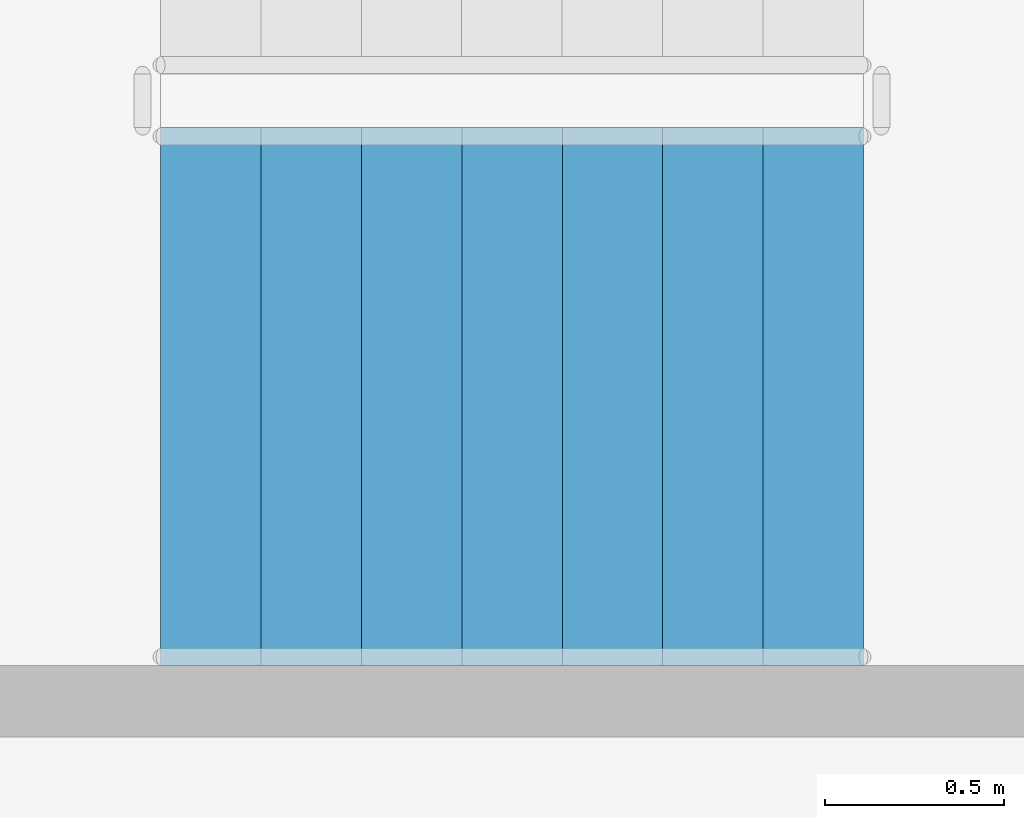
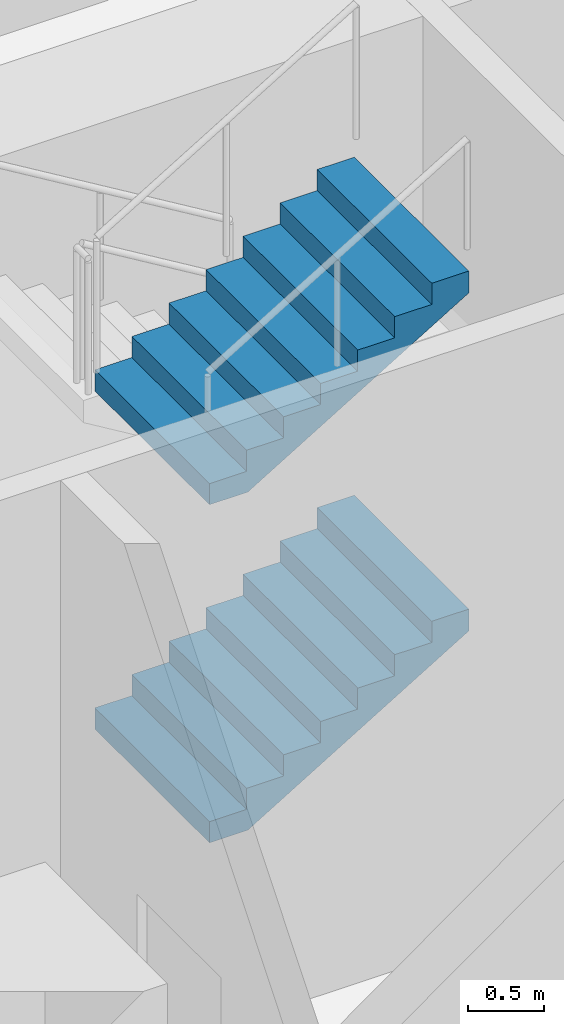
# One storey, part 45 of 101: 2 stair flights, 1 element without a shape of its own.
"""IFC4 building model written with IfcOpenShell, lengths in metres."""

from ifc_helpers import new_model, si_unit, direction, frame, origin, place, context, subcontext, project, spatial, triangles, material, type_object, element, aggregate, save


model = new_model("IFC4")

# Units and contexts
model_context = context("Model", 3, precision=1e-05, world=origin(), true_north=direction((0.0, 1.0)))
body_context = subcontext(model_context, "Body", "Model", "MODEL_VIEW")
ifc_project = project(units=[si_unit("LENGTHUNIT", "METRE"), si_unit("AREAUNIT", "SQUARE_METRE"), si_unit("VOLUMEUNIT", "CUBIC_METRE"), si_unit("PLANEANGLEUNIT", "RADIAN"), si_unit("MASSUNIT", "GRAM", prefix="KILO")], contexts=[model_context])

# Site, building, storey
site_placement = place(None, origin())
site = spatial("IfcSite", under=ifc_project, at=site_placement, CompositionType="ELEMENT")
building_placement = place(site_placement, origin())
building = spatial("IfcBuilding", under=site, at=building_placement, Name="Magnolia Steps Interchange", CompositionType="ELEMENT")
storey_placement = place(building_placement, frame((0.0, 0.0, -5.39990234375)))
storey = spatial("IfcBuildingStorey", under=building, at=storey_placement, Name="B1", CompositionType="ELEMENT", Elevation=-5.39990234375)

# Stair, stair flights
ifc_material_1 = material(Name="Concrete C40", Category="concrete")
stair_type = type_object("IfcStairType", Name="Exit stair 1500", PredefinedType="HALF_TURN_STAIR", material=ifc_material_1)
stair_placement = place(storey_placement, origin())
stair = element("IfcStair", 1, at=stair_placement, inside=storey, type_object=stair_type, Name="B1 Stair 6", PredefinedType="HALF_TURN_STAIR")
ifc_material_2 = material(Name="Concrete C40", Category="concrete")
stair_flight_type = type_object("IfcStairFlightType", Name="Exit stair flight", PredefinedType="STRAIGHT", material=ifc_material_2)
stair_flight_1_placement = place(storey_placement, frame((57.0400390625, 50.300048828125, 1.349853515625), z_axis=(0.0, 0.0, 1.0), x_axis=(1.0, 0.0, 0.0)))
stair_flight_1 = element("IfcStairFlight", 2, at=stair_flight_1_placement, type_object=stair_flight_type, Name="Stair 6 flight 2", NumberOfRisers=8, NumberOfTreads=7, PredefinedType="STRAIGHT", RiserHeight=0.16875, TreadLength=0.28, context=body_context, shape_type="Tessellation", body=[
    triangles([(0.0, -0.75, 0.0), (0.29052734375, -0.75, 0.0), (1.9599609375, -0.75, 1.00634765625), (1.9599609375, -0.75, 1.18115234375), (1.679931640625, -0.75, 1.18115234375), (1.679931640625, -0.75, 1.012451171875), (1.39990234375, -0.75, 1.012451171875), (1.39990234375, -0.75, 0.84375), (1.1201171875, -0.75, 0.84375), (1.1201171875, -0.75, 0.675048828125), (0.840087890625, -0.75, 0.675048828125), (0.840087890625, -0.75, 0.50634765625), (0.56005859375, -0.75, 0.50634765625), (0.56005859375, -0.75, 0.33740234375), (0.280029296875, -0.75, 0.33740234375), (0.280029296875, -0.75, 0.168701171875), (0.0, -0.75, 0.168701171875), (0.0, 0.75, 0.0), (0.29052734375, 0.75, 0.0), (1.9599609375, 0.75, 1.00634765625), (1.9599609375, 0.75, 1.18115234375), (1.679931640625, 0.75, 1.18115234375), (1.679931640625, 0.75, 1.012451171875), (1.39990234375, 0.75, 1.012451171875), (1.39990234375, 0.75, 0.84375), (1.1201171875, 0.75, 0.84375), (1.1201171875, 0.75, 0.675048828125), (0.840087890625, 0.75, 0.675048828125), (0.840087890625, 0.75, 0.50634765625), (0.56005859375, 0.75, 0.50634765625), (0.56005859375, 0.75, 0.33740234375), (0.280029296875, 0.75, 0.33740234375), (0.280029296875, 0.75, 0.168701171875), (0.0, 0.75, 0.168701171875), (0.0, 0.0, 0.0), (0.0, 0.0, 0.04217529296875), (0.0, 0.0, 0.0843505859375), (0.0, 0.0, 0.12652587890625), (0.0, 0.0, 0.168701171875), (0.0, -0.05, 0.0), (0.0, -0.05, 0.168701171875), (0.0, 0.05, 0.0), (0.0, 0.05, 0.168701171875), (0.046671549479166664, 0.0, 0.168701171875), (0.09334309895833333, 0.0, 0.168701171875), (0.1400146484375, 0.0, 0.168701171875), (0.18668619791666666, 0.0, 0.168701171875), (0.23335774739583334, 0.0, 0.168701171875), (0.280029296875, 0.0, 0.168701171875), (0.280029296875, -0.05, 0.168701171875), (0.280029296875, 0.05, 0.168701171875), (0.280029296875, 0.0, 0.21087646484375), (0.280029296875, 0.0, 0.2530517578125), (0.280029296875, 0.0, 0.29522705078125), (0.280029296875, 0.0, 0.33740234375), (0.280029296875, -0.05, 0.33740234375), (0.280029296875, 0.05, 0.33740234375), (0.3267008463541667, 0.0, 0.33740234375), (0.3733723958333333, 0.0, 0.33740234375), (0.4200439453125, 0.0, 0.33740234375), (0.46671549479166663, 0.0, 0.33740234375), (0.5133870442708334, 0.0, 0.33740234375), (0.56005859375, 0.0, 0.33740234375), (0.56005859375, -0.05, 0.33740234375), (0.56005859375, 0.05, 0.33740234375), (0.56005859375, 0.0, 0.379638671875), (0.56005859375, 0.0, 0.421875), (0.56005859375, 0.0, 0.464111328125), (0.56005859375, 0.0, 0.50634765625), (0.56005859375, -0.05, 0.50634765625), (0.56005859375, 0.05, 0.50634765625), (0.6067301432291666, 0.0, 0.50634765625), (0.6534016927083334, 0.0, 0.50634765625), (0.7000732421875, 0.0, 0.50634765625), (0.7467447916666666, 0.0, 0.50634765625), (0.7934163411458334, 0.0, 0.50634765625), (0.840087890625, 0.0, 0.50634765625), (0.840087890625, -0.05, 0.50634765625), (0.840087890625, 0.05, 0.50634765625), (0.840087890625, 0.0, 0.54852294921875), (0.840087890625, 0.0, 0.5906982421875), (0.840087890625, 0.0, 0.63287353515625), (0.840087890625, 0.0, 0.675048828125), (0.840087890625, -0.05, 0.675048828125), (0.840087890625, 0.05, 0.675048828125), (0.8867594401041666, 0.0, 0.675048828125), (0.9334309895833334, 0.0, 0.675048828125), (0.9801025390625, 0.0, 0.675048828125), (1.0267740885416667, 0.0, 0.675048828125), (1.0734456380208333, 0.0, 0.675048828125), (1.1201171875, 0.0, 0.675048828125), (1.1201171875, -0.05, 0.675048828125), (1.1201171875, 0.05, 0.675048828125), (1.1201171875, 0.0, 0.71722412109375), (1.1201171875, 0.0, 0.7593994140625), (1.1201171875, 0.0, 0.80157470703125), (1.1201171875, 0.0, 0.84375), (1.1201171875, -0.05, 0.84375), (1.1201171875, 0.05, 0.84375), (1.1900634765625, 0.0, 0.84375), (1.260009765625, 0.0, 0.84375), (1.3299560546875, 0.0, 0.84375), (1.39990234375, 0.0, 0.84375), (1.39990234375, -0.05, 0.84375), (1.39990234375, 0.05, 0.84375), (1.39990234375, 0.0, 0.88592529296875), (1.39990234375, 0.0, 0.9281005859375), (1.39990234375, 0.0, 0.97027587890625), (1.39990234375, 0.0, 1.012451171875), (1.39990234375, -0.05, 1.012451171875), (1.39990234375, 0.05, 1.012451171875), (1.4465738932291667, 0.0, 1.012451171875), (1.4932454427083333, 0.0, 1.012451171875), (1.5399169921875, 0.0, 1.012451171875), (1.5865885416666667, 0.0, 1.012451171875), (1.6332600911458333, 0.0, 1.012451171875), (1.679931640625, 0.0, 1.012451171875), (1.679931640625, -0.05, 1.012451171875), (1.679931640625, 0.05, 1.012451171875), (1.679931640625, 0.0, 1.05462646484375), (1.679931640625, 0.0, 1.0968017578125), (1.679931640625, 0.0, 1.13897705078125), (1.679931640625, 0.0, 1.18115234375), (1.679931640625, -0.05, 1.18115234375), (1.679931640625, 0.05, 1.18115234375), (1.7266031901041667, 0.0, 1.18115234375), (1.7732747395833333, 0.0, 1.18115234375), (1.8199462890625, 0.0, 1.18115234375), (1.8666178385416667, 0.0, 1.18115234375), (1.9132893880208333, 0.0, 1.18115234375), (1.9599609375, 0.0, 1.18115234375), (1.9599609375, -0.05, 1.18115234375), (1.9599609375, 0.05, 1.18115234375), (1.9599609375, 0.0, 1.137451171875), (1.9599609375, 0.0, 1.09375), (1.9599609375, 0.0, 1.050048828125), (1.9599609375, 0.0, 1.00634765625), (1.9599609375, -0.05, 1.00634765625), (1.9599609375, 0.05, 1.00634765625), (1.9003383091517858, 0.0, 0.9704066685267857), (1.8407156808035714, 0.0, 0.9344656808035714), (1.7810930524553572, 0.0, 0.8985246930803571), (1.7214704241071428, 0.0, 0.8625837053571428), (1.6618477957589286, 0.0, 0.8266427176339286), (1.6022251674107144, 0.0, 0.7907017299107143), (1.5426025390625, 0.0, 0.7547607421875), (1.4829799107142856, 0.0, 0.7188197544642857), (1.4233572823660714, 0.0, 0.6828787667410714), (1.3637346540178572, 0.0, 0.6469377790178572), (1.3041120256696428, 0.0, 0.6109967912946428), (1.2444893973214286, 0.0, 0.5750558035714286), (1.1848667689732144, 0.0, 0.5391148158482143), (1.125244140625, 0.0, 0.503173828125), (1.0656215122767856, 0.0, 0.4672328404017857), (1.0059988839285714, 0.0, 0.4312918526785714), (0.9463762555803572, 0.0, 0.3953508649553571), (0.8867536272321428, 0.0, 0.3594098772321429), (0.8271309988839286, 0.0, 0.3234688895089286), (0.7675083705357142, 0.0, 0.2875279017857143), (0.7078857421875, 0.0, 0.2515869140625), (0.6482631138392858, 0.0, 0.2156459263392857), (0.5886404854910714, 0.0, 0.1797049386160714), (0.5290178571428572, 0.0, 0.1437639508928571), (0.4693952287946428, 0.0, 0.1078229631696429), (0.4097726004464286, 0.0, 0.0718819754464286), (0.3501499720982142, 0.0, 0.0359409877232143), (0.29052734375, 0.0, 0.0), (0.29052734375, -0.05, 0.0), (0.29052734375, 0.05, 0.0), (0.24210611979166666, 0.0, 0.0), (0.19368489583333331, 0.0, 0.0), (0.145263671875, 0.0, 0.0), (0.09684244791666666, 0.0, 0.0), (0.04842122395833334, 0.0, 0.0)], [[1, 2, 3], [3, 4, 5], [3, 5, 6], [3, 6, 7], [3, 7, 8], [8, 9, 10], [3, 8, 10], [10, 11, 12], [3, 10, 12], [12, 13, 14], [3, 12, 14], [14, 15, 16], [3, 14, 16], [1, 3, 16], [16, 17, 1], [18, 20, 19], [20, 22, 21], [20, 23, 22], [20, 24, 23], [20, 25, 24], [25, 27, 26], [20, 27, 25], [27, 29, 28], [20, 29, 27], [29, 31, 30], [20, 31, 29], [31, 33, 32], [20, 33, 31], [18, 33, 20], [33, 18, 34], [1, 17, 41], [1, 41, 40], [40, 36, 35], [40, 37, 36], [40, 41, 37], [41, 38, 37], [41, 39, 38], [18, 43, 34], [18, 42, 43], [42, 35, 36], [42, 36, 37], [42, 37, 43], [43, 37, 38], [43, 38, 39], [17, 16, 50], [17, 50, 41], [41, 44, 39], [41, 45, 44], [41, 46, 45], [41, 50, 46], [50, 47, 46], [50, 48, 47], [50, 49, 48], [34, 51, 33], [34, 43, 51], [43, 39, 44], [43, 44, 45], [43, 45, 46], [43, 46, 51], [51, 46, 47], [51, 47, 48], [51, 48, 49], [16, 15, 56], [16, 56, 50], [50, 52, 49], [50, 53, 52], [50, 56, 53], [56, 54, 53], [56, 55, 54], [33, 57, 32], [33, 51, 57], [51, 49, 52], [51, 52, 53], [51, 53, 57], [57, 53, 54], [57, 54, 55], [15, 14, 64], [15, 64, 56], [56, 58, 55], [56, 59, 58], [56, 60, 59], [56, 64, 60], [64, 61, 60], [64, 62, 61], [64, 63, 62], [32, 65, 31], [32, 57, 65], [57, 55, 58], [57, 58, 59], [57, 59, 60], [57, 60, 65], [65, 60, 61], [65, 61, 62], [65, 62, 63], [14, 13, 70], [14, 70, 64], [64, 66, 63], [64, 67, 66], [64, 70, 67], [70, 68, 67], [70, 69, 68], [31, 71, 30], [31, 65, 71], [65, 63, 66], [65, 66, 67], [65, 67, 71], [71, 67, 68], [71, 68, 69], [13, 12, 78], [13, 78, 70], [70, 72, 69], [70, 73, 72], [70, 74, 73], [70, 78, 74], [78, 75, 74], [78, 76, 75], [78, 77, 76], [30, 79, 29], [30, 71, 79], [71, 69, 72], [71, 72, 73], [71, 73, 74], [71, 74, 79], [79, 74, 75], [79, 75, 76], [79, 76, 77], [12, 11, 84], [12, 84, 78], [78, 80, 77], [78, 81, 80], [78, 84, 81], [84, 82, 81], [84, 83, 82], [29, 85, 28], [29, 79, 85], [79, 77, 80], [79, 80, 81], [79, 81, 85], [85, 81, 82], [85, 82, 83], [11, 10, 92], [11, 92, 84], [84, 86, 83], [84, 87, 86], [84, 88, 87], [84, 92, 88], [92, 89, 88], [92, 90, 89], [92, 91, 90], [28, 93, 27], [28, 85, 93], [85, 83, 86], [85, 86, 87], [85, 87, 88], [85, 88, 93], [93, 88, 89], [93, 89, 90], [93, 90, 91], [10, 9, 98], [10, 98, 92], [92, 94, 91], [92, 95, 94], [92, 98, 95], [98, 96, 95], [98, 97, 96], [27, 99, 26], [27, 93, 99], [93, 91, 94], [93, 94, 95], [93, 95, 99], [99, 95, 96], [99, 96, 97], [9, 8, 104], [9, 104, 98], [98, 100, 97], [98, 101, 100], [98, 104, 101], [104, 102, 101], [104, 103, 102], [26, 105, 25], [26, 99, 105], [99, 97, 100], [99, 100, 101], [99, 101, 105], [105, 101, 102], [105, 102, 103], [8, 7, 110], [8, 110, 104], [104, 106, 103], [104, 107, 106], [104, 110, 107], [110, 108, 107], [110, 109, 108], [25, 111, 24], [25, 105, 111], [105, 103, 106], [105, 106, 107], [105, 107, 111], [111, 107, 108], [111, 108, 109], [7, 6, 118], [7, 118, 110], [110, 112, 109], [110, 113, 112], [110, 114, 113], [110, 118, 114], [118, 115, 114], [118, 116, 115], [118, 117, 116], [24, 119, 23], [24, 111, 119], [111, 109, 112], [111, 112, 113], [111, 113, 114], [111, 114, 119], [119, 114, 115], [119, 115, 116], [119, 116, 117], [6, 5, 124], [6, 124, 118], [118, 120, 117], [118, 121, 120], [118, 124, 121], [124, 122, 121], [124, 123, 122], [23, 125, 22], [23, 119, 125], [119, 117, 120], [119, 120, 121], [119, 121, 125], [125, 121, 122], [125, 122, 123], [5, 4, 132], [5, 132, 124], [124, 126, 123], [124, 127, 126], [124, 128, 127], [124, 132, 128], [132, 129, 128], [132, 130, 129], [132, 131, 130], [22, 133, 21], [22, 125, 133], [125, 123, 126], [125, 126, 127], [125, 127, 128], [125, 128, 133], [133, 128, 129], [133, 129, 130], [133, 130, 131], [4, 3, 138], [4, 138, 132], [132, 134, 131], [132, 135, 134], [132, 138, 135], [138, 136, 135], [138, 137, 136], [21, 139, 20], [21, 133, 139], [133, 131, 134], [133, 134, 135], [133, 135, 139], [139, 135, 136], [139, 136, 137], [3, 2, 168], [3, 168, 138], [138, 140, 137], [138, 141, 140], [138, 142, 141], [138, 143, 142], [138, 144, 143], [138, 145, 144], [138, 146, 145], [138, 147, 146], [138, 148, 147], [138, 149, 148], [138, 150, 149], [138, 151, 150], [138, 152, 151], [138, 153, 152], [138, 168, 153], [168, 154, 153], [168, 155, 154], [168, 156, 155], [168, 157, 156], [168, 158, 157], [168, 159, 158], [168, 160, 159], [168, 161, 160], [168, 162, 161], [168, 163, 162], [168, 164, 163], [168, 165, 164], [168, 166, 165], [168, 167, 166], [20, 169, 19], [20, 139, 169], [139, 137, 140], [139, 140, 141], [139, 141, 142], [139, 142, 143], [139, 143, 144], [139, 144, 145], [139, 145, 146], [139, 146, 147], [139, 147, 148], [139, 148, 149], [139, 149, 150], [139, 150, 151], [139, 151, 152], [139, 152, 153], [139, 153, 169], [169, 153, 154], [169, 154, 155], [169, 155, 156], [169, 156, 157], [169, 157, 158], [169, 158, 159], [169, 159, 160], [169, 160, 161], [169, 161, 162], [169, 162, 163], [169, 163, 164], [169, 164, 165], [169, 165, 166], [169, 166, 167], [2, 1, 40], [2, 40, 168], [168, 170, 167], [168, 171, 170], [168, 172, 171], [168, 40, 172], [40, 173, 172], [40, 174, 173], [40, 35, 174], [19, 42, 18], [19, 169, 42], [169, 167, 170], [169, 170, 171], [169, 171, 172], [169, 172, 42], [42, 172, 173], [42, 173, 174], [42, 174, 35]], closed=True),
])
stair_flight_2_placement = place(storey_placement, frame((57.0400390625, 50.300048828125, 4.0498046875), z_axis=(0.0, 0.0, 1.0), x_axis=(1.0, 0.0, 0.0)))
stair_flight_2 = element("IfcStairFlight", 3, at=stair_flight_2_placement, type_object=stair_flight_type, Name="Stair 6 flight 4", NumberOfRisers=8, NumberOfTreads=7, PredefinedType="STRAIGHT", RiserHeight=0.16875, TreadLength=0.28, context=body_context, shape_type="Tessellation", body=[
    triangles([(0.0, -0.75, 0.0), (0.29052734375, -0.75, 0.0), (1.9599609375, -0.75, 1.00634765625), (1.9599609375, -0.75, 1.18115234375), (1.679931640625, -0.75, 1.18115234375), (1.679931640625, -0.75, 1.012451171875), (1.39990234375, -0.75, 1.012451171875), (1.39990234375, -0.75, 0.84375), (1.1201171875, -0.75, 0.84375), (1.1201171875, -0.75, 0.675048828125), (0.840087890625, -0.75, 0.675048828125), (0.840087890625, -0.75, 0.50634765625), (0.56005859375, -0.75, 0.50634765625), (0.56005859375, -0.75, 0.33740234375), (0.280029296875, -0.75, 0.33740234375), (0.280029296875, -0.75, 0.168701171875), (0.0, -0.75, 0.168701171875), (0.0, 0.75, 0.0), (0.29052734375, 0.75, 0.0), (1.9599609375, 0.75, 1.00634765625), (1.9599609375, 0.75, 1.18115234375), (1.679931640625, 0.75, 1.18115234375), (1.679931640625, 0.75, 1.012451171875), (1.39990234375, 0.75, 1.012451171875), (1.39990234375, 0.75, 0.84375), (1.1201171875, 0.75, 0.84375), (1.1201171875, 0.75, 0.675048828125), (0.840087890625, 0.75, 0.675048828125), (0.840087890625, 0.75, 0.50634765625), (0.56005859375, 0.75, 0.50634765625), (0.56005859375, 0.75, 0.33740234375), (0.280029296875, 0.75, 0.33740234375), (0.280029296875, 0.75, 0.168701171875), (0.0, 0.75, 0.168701171875), (0.0, 0.0, 0.0), (0.0, 0.0, 0.04217529296875), (0.0, 0.0, 0.0843505859375), (0.0, 0.0, 0.12652587890625), (0.0, 0.0, 0.168701171875), (0.0, -0.05, 0.0), (0.0, -0.05, 0.168701171875), (0.0, 0.05, 0.0), (0.0, 0.05, 0.168701171875), (0.046671549479166664, 0.0, 0.168701171875), (0.09334309895833333, 0.0, 0.168701171875), (0.1400146484375, 0.0, 0.168701171875), (0.18668619791666666, 0.0, 0.168701171875), (0.23335774739583334, 0.0, 0.168701171875), (0.280029296875, 0.0, 0.168701171875), (0.280029296875, -0.05, 0.168701171875), (0.280029296875, 0.05, 0.168701171875), (0.280029296875, 0.0, 0.21087646484375), (0.280029296875, 0.0, 0.2530517578125), (0.280029296875, 0.0, 0.29522705078125), (0.280029296875, 0.0, 0.33740234375), (0.280029296875, -0.05, 0.33740234375), (0.280029296875, 0.05, 0.33740234375), (0.3267008463541667, 0.0, 0.33740234375), (0.3733723958333333, 0.0, 0.33740234375), (0.4200439453125, 0.0, 0.33740234375), (0.46671549479166663, 0.0, 0.33740234375), (0.5133870442708334, 0.0, 0.33740234375), (0.56005859375, 0.0, 0.33740234375), (0.56005859375, -0.05, 0.33740234375), (0.56005859375, 0.05, 0.33740234375), (0.56005859375, 0.0, 0.379638671875), (0.56005859375, 0.0, 0.421875), (0.56005859375, 0.0, 0.464111328125), (0.56005859375, 0.0, 0.50634765625), (0.56005859375, -0.05, 0.50634765625), (0.56005859375, 0.05, 0.50634765625), (0.6067301432291666, 0.0, 0.50634765625), (0.6534016927083334, 0.0, 0.50634765625), (0.7000732421875, 0.0, 0.50634765625), (0.7467447916666666, 0.0, 0.50634765625), (0.7934163411458334, 0.0, 0.50634765625), (0.840087890625, 0.0, 0.50634765625), (0.840087890625, -0.05, 0.50634765625), (0.840087890625, 0.05, 0.50634765625), (0.840087890625, 0.0, 0.54852294921875), (0.840087890625, 0.0, 0.5906982421875), (0.840087890625, 0.0, 0.63287353515625), (0.840087890625, 0.0, 0.675048828125), (0.840087890625, -0.05, 0.675048828125), (0.840087890625, 0.05, 0.675048828125), (0.8867594401041666, 0.0, 0.675048828125), (0.9334309895833334, 0.0, 0.675048828125), (0.9801025390625, 0.0, 0.675048828125), (1.0267740885416667, 0.0, 0.675048828125), (1.0734456380208333, 0.0, 0.675048828125), (1.1201171875, 0.0, 0.675048828125), (1.1201171875, -0.05, 0.675048828125), (1.1201171875, 0.05, 0.675048828125), (1.1201171875, 0.0, 0.71722412109375), (1.1201171875, 0.0, 0.7593994140625), (1.1201171875, 0.0, 0.80157470703125), (1.1201171875, 0.0, 0.84375), (1.1201171875, -0.05, 0.84375), (1.1201171875, 0.05, 0.84375), (1.1900634765625, 0.0, 0.84375), (1.260009765625, 0.0, 0.84375), (1.3299560546875, 0.0, 0.84375), (1.39990234375, 0.0, 0.84375), (1.39990234375, -0.05, 0.84375), (1.39990234375, 0.05, 0.84375), (1.39990234375, 0.0, 0.88592529296875), (1.39990234375, 0.0, 0.9281005859375), (1.39990234375, 0.0, 0.97027587890625), (1.39990234375, 0.0, 1.012451171875), (1.39990234375, -0.05, 1.012451171875), (1.39990234375, 0.05, 1.012451171875), (1.4465738932291667, 0.0, 1.012451171875), (1.4932454427083333, 0.0, 1.012451171875), (1.5399169921875, 0.0, 1.012451171875), (1.5865885416666667, 0.0, 1.012451171875), (1.6332600911458333, 0.0, 1.012451171875), (1.679931640625, 0.0, 1.012451171875), (1.679931640625, -0.05, 1.012451171875), (1.679931640625, 0.05, 1.012451171875), (1.679931640625, 0.0, 1.05462646484375), (1.679931640625, 0.0, 1.0968017578125), (1.679931640625, 0.0, 1.13897705078125), (1.679931640625, 0.0, 1.18115234375), (1.679931640625, -0.05, 1.18115234375), (1.679931640625, 0.05, 1.18115234375), (1.7266031901041667, 0.0, 1.18115234375), (1.7732747395833333, 0.0, 1.18115234375), (1.8199462890625, 0.0, 1.18115234375), (1.8666178385416667, 0.0, 1.18115234375), (1.9132893880208333, 0.0, 1.18115234375), (1.9599609375, 0.0, 1.18115234375), (1.9599609375, -0.05, 1.18115234375), (1.9599609375, 0.05, 1.18115234375), (1.9599609375, 0.0, 1.137451171875), (1.9599609375, 0.0, 1.09375), (1.9599609375, 0.0, 1.050048828125), (1.9599609375, 0.0, 1.00634765625), (1.9599609375, -0.05, 1.00634765625), (1.9599609375, 0.05, 1.00634765625), (1.9003383091517858, 0.0, 0.9704066685267857), (1.8407156808035714, 0.0, 0.9344656808035714), (1.7810930524553572, 0.0, 0.8985246930803571), (1.7214704241071428, 0.0, 0.8625837053571428), (1.6618477957589286, 0.0, 0.8266427176339286), (1.6022251674107144, 0.0, 0.7907017299107143), (1.5426025390625, 0.0, 0.7547607421875), (1.4829799107142856, 0.0, 0.7188197544642857), (1.4233572823660714, 0.0, 0.6828787667410714), (1.3637346540178572, 0.0, 0.6469377790178572), (1.3041120256696428, 0.0, 0.6109967912946428), (1.2444893973214286, 0.0, 0.5750558035714286), (1.1848667689732144, 0.0, 0.5391148158482143), (1.125244140625, 0.0, 0.503173828125), (1.0656215122767856, 0.0, 0.4672328404017857), (1.0059988839285714, 0.0, 0.4312918526785714), (0.9463762555803572, 0.0, 0.3953508649553571), (0.8867536272321428, 0.0, 0.3594098772321429), (0.8271309988839286, 0.0, 0.3234688895089286), (0.7675083705357142, 0.0, 0.2875279017857143), (0.7078857421875, 0.0, 0.2515869140625), (0.6482631138392858, 0.0, 0.2156459263392857), (0.5886404854910714, 0.0, 0.1797049386160714), (0.5290178571428572, 0.0, 0.1437639508928571), (0.4693952287946428, 0.0, 0.1078229631696429), (0.4097726004464286, 0.0, 0.0718819754464286), (0.3501499720982142, 0.0, 0.0359409877232143), (0.29052734375, 0.0, 0.0), (0.29052734375, -0.05, 0.0), (0.29052734375, 0.05, 0.0), (0.24210611979166666, 0.0, 0.0), (0.19368489583333331, 0.0, 0.0), (0.145263671875, 0.0, 0.0), (0.09684244791666666, 0.0, 0.0), (0.04842122395833334, 0.0, 0.0)], [[1, 2, 3], [3, 4, 5], [3, 5, 6], [3, 6, 7], [3, 7, 8], [8, 9, 10], [3, 8, 10], [10, 11, 12], [3, 10, 12], [12, 13, 14], [3, 12, 14], [14, 15, 16], [3, 14, 16], [1, 3, 16], [16, 17, 1], [18, 20, 19], [20, 22, 21], [20, 23, 22], [20, 24, 23], [20, 25, 24], [25, 27, 26], [20, 27, 25], [27, 29, 28], [20, 29, 27], [29, 31, 30], [20, 31, 29], [31, 33, 32], [20, 33, 31], [18, 33, 20], [33, 18, 34], [1, 17, 41], [1, 41, 40], [40, 36, 35], [40, 37, 36], [40, 41, 37], [41, 38, 37], [41, 39, 38], [18, 43, 34], [18, 42, 43], [42, 35, 36], [42, 36, 37], [42, 37, 43], [43, 37, 38], [43, 38, 39], [17, 16, 50], [17, 50, 41], [41, 44, 39], [41, 45, 44], [41, 46, 45], [41, 50, 46], [50, 47, 46], [50, 48, 47], [50, 49, 48], [34, 51, 33], [34, 43, 51], [43, 39, 44], [43, 44, 45], [43, 45, 46], [43, 46, 51], [51, 46, 47], [51, 47, 48], [51, 48, 49], [16, 15, 56], [16, 56, 50], [50, 52, 49], [50, 53, 52], [50, 56, 53], [56, 54, 53], [56, 55, 54], [33, 57, 32], [33, 51, 57], [51, 49, 52], [51, 52, 53], [51, 53, 57], [57, 53, 54], [57, 54, 55], [15, 14, 64], [15, 64, 56], [56, 58, 55], [56, 59, 58], [56, 60, 59], [56, 64, 60], [64, 61, 60], [64, 62, 61], [64, 63, 62], [32, 65, 31], [32, 57, 65], [57, 55, 58], [57, 58, 59], [57, 59, 60], [57, 60, 65], [65, 60, 61], [65, 61, 62], [65, 62, 63], [14, 13, 70], [14, 70, 64], [64, 66, 63], [64, 67, 66], [64, 70, 67], [70, 68, 67], [70, 69, 68], [31, 71, 30], [31, 65, 71], [65, 63, 66], [65, 66, 67], [65, 67, 71], [71, 67, 68], [71, 68, 69], [13, 12, 78], [13, 78, 70], [70, 72, 69], [70, 73, 72], [70, 74, 73], [70, 78, 74], [78, 75, 74], [78, 76, 75], [78, 77, 76], [30, 79, 29], [30, 71, 79], [71, 69, 72], [71, 72, 73], [71, 73, 74], [71, 74, 79], [79, 74, 75], [79, 75, 76], [79, 76, 77], [12, 11, 84], [12, 84, 78], [78, 80, 77], [78, 81, 80], [78, 84, 81], [84, 82, 81], [84, 83, 82], [29, 85, 28], [29, 79, 85], [79, 77, 80], [79, 80, 81], [79, 81, 85], [85, 81, 82], [85, 82, 83], [11, 10, 92], [11, 92, 84], [84, 86, 83], [84, 87, 86], [84, 88, 87], [84, 92, 88], [92, 89, 88], [92, 90, 89], [92, 91, 90], [28, 93, 27], [28, 85, 93], [85, 83, 86], [85, 86, 87], [85, 87, 88], [85, 88, 93], [93, 88, 89], [93, 89, 90], [93, 90, 91], [10, 9, 98], [10, 98, 92], [92, 94, 91], [92, 95, 94], [92, 98, 95], [98, 96, 95], [98, 97, 96], [27, 99, 26], [27, 93, 99], [93, 91, 94], [93, 94, 95], [93, 95, 99], [99, 95, 96], [99, 96, 97], [9, 8, 104], [9, 104, 98], [98, 100, 97], [98, 101, 100], [98, 104, 101], [104, 102, 101], [104, 103, 102], [26, 105, 25], [26, 99, 105], [99, 97, 100], [99, 100, 101], [99, 101, 105], [105, 101, 102], [105, 102, 103], [8, 7, 110], [8, 110, 104], [104, 106, 103], [104, 107, 106], [104, 110, 107], [110, 108, 107], [110, 109, 108], [25, 111, 24], [25, 105, 111], [105, 103, 106], [105, 106, 107], [105, 107, 111], [111, 107, 108], [111, 108, 109], [7, 6, 118], [7, 118, 110], [110, 112, 109], [110, 113, 112], [110, 114, 113], [110, 118, 114], [118, 115, 114], [118, 116, 115], [118, 117, 116], [24, 119, 23], [24, 111, 119], [111, 109, 112], [111, 112, 113], [111, 113, 114], [111, 114, 119], [119, 114, 115], [119, 115, 116], [119, 116, 117], [6, 5, 124], [6, 124, 118], [118, 120, 117], [118, 121, 120], [118, 124, 121], [124, 122, 121], [124, 123, 122], [23, 125, 22], [23, 119, 125], [119, 117, 120], [119, 120, 121], [119, 121, 125], [125, 121, 122], [125, 122, 123], [5, 4, 132], [5, 132, 124], [124, 126, 123], [124, 127, 126], [124, 128, 127], [124, 132, 128], [132, 129, 128], [132, 130, 129], [132, 131, 130], [22, 133, 21], [22, 125, 133], [125, 123, 126], [125, 126, 127], [125, 127, 128], [125, 128, 133], [133, 128, 129], [133, 129, 130], [133, 130, 131], [4, 3, 138], [4, 138, 132], [132, 134, 131], [132, 135, 134], [132, 138, 135], [138, 136, 135], [138, 137, 136], [21, 139, 20], [21, 133, 139], [133, 131, 134], [133, 134, 135], [133, 135, 139], [139, 135, 136], [139, 136, 137], [3, 2, 168], [3, 168, 138], [138, 140, 137], [138, 141, 140], [138, 142, 141], [138, 143, 142], [138, 144, 143], [138, 145, 144], [138, 146, 145], [138, 147, 146], [138, 148, 147], [138, 149, 148], [138, 150, 149], [138, 151, 150], [138, 152, 151], [138, 153, 152], [138, 168, 153], [168, 154, 153], [168, 155, 154], [168, 156, 155], [168, 157, 156], [168, 158, 157], [168, 159, 158], [168, 160, 159], [168, 161, 160], [168, 162, 161], [168, 163, 162], [168, 164, 163], [168, 165, 164], [168, 166, 165], [168, 167, 166], [20, 169, 19], [20, 139, 169], [139, 137, 140], [139, 140, 141], [139, 141, 142], [139, 142, 143], [139, 143, 144], [139, 144, 145], [139, 145, 146], [139, 146, 147], [139, 147, 148], [139, 148, 149], [139, 149, 150], [139, 150, 151], [139, 151, 152], [139, 152, 153], [139, 153, 169], [169, 153, 154], [169, 154, 155], [169, 155, 156], [169, 156, 157], [169, 157, 158], [169, 158, 159], [169, 159, 160], [169, 160, 161], [169, 161, 162], [169, 162, 163], [169, 163, 164], [169, 164, 165], [169, 165, 166], [169, 166, 167], [2, 1, 40], [2, 40, 168], [168, 170, 167], [168, 171, 170], [168, 172, 171], [168, 40, 172], [40, 173, 172], [40, 174, 173], [40, 35, 174], [19, 42, 18], [19, 169, 42], [169, 167, 170], [169, 170, 171], [169, 171, 172], [169, 172, 42], [42, 172, 173], [42, 173, 174], [42, 174, 35]], closed=True),
])
aggregate(stair, [stair_flight_1, stair_flight_2])

save(model, "model.ifc")
